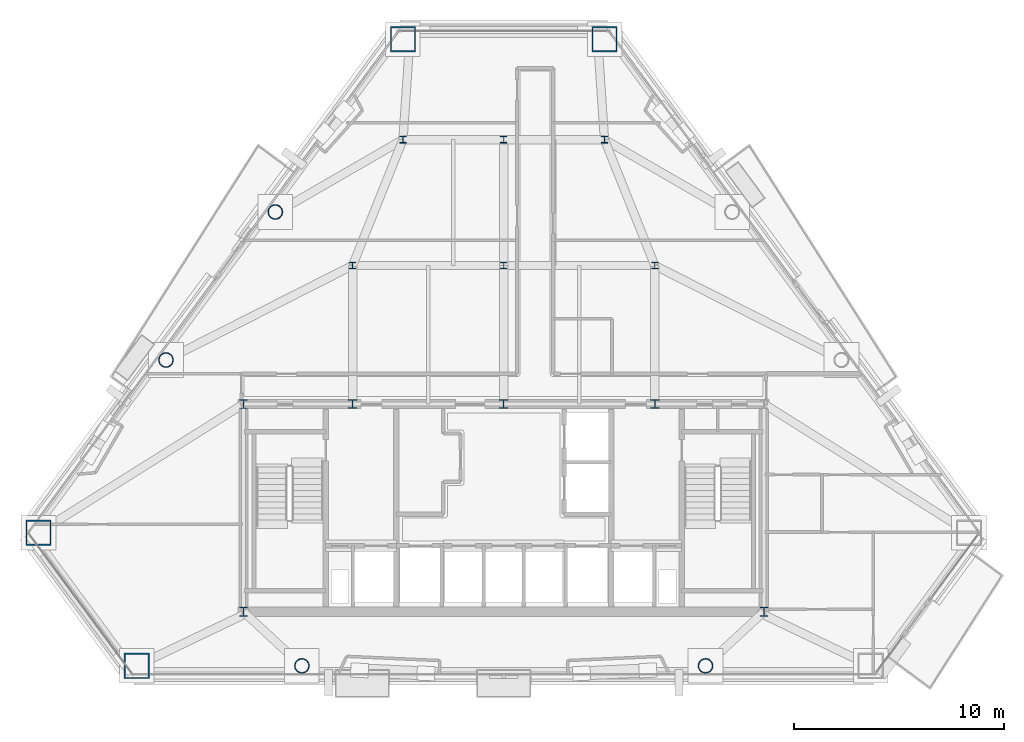
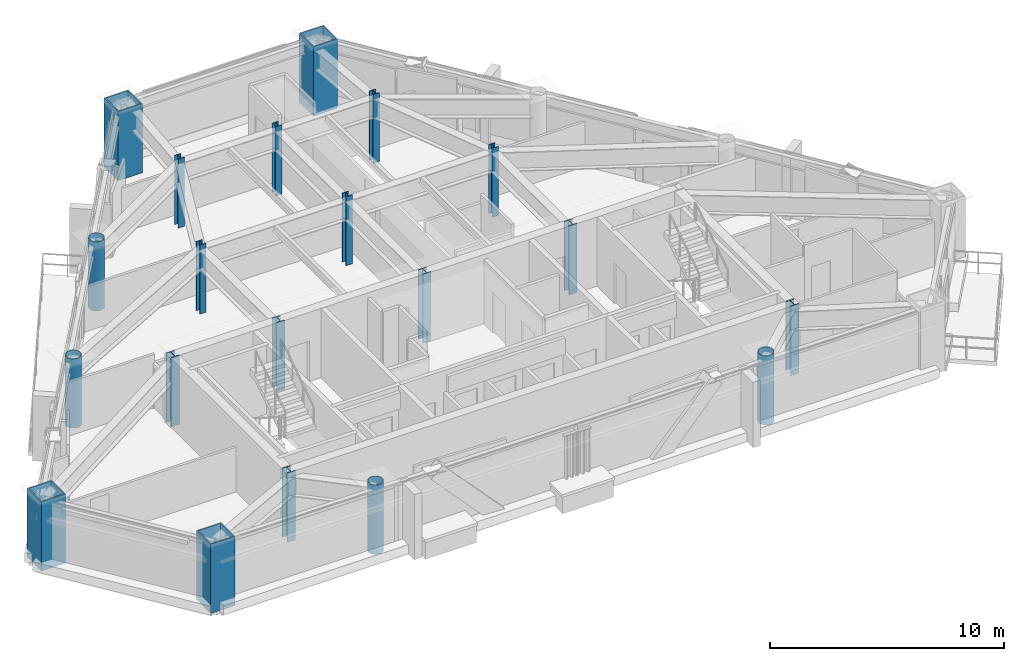
# One storey, part 1 of 11: 20 columns.
"""IFC4 building model written with IfcOpenShell, lengths in metres."""

from ifc_helpers import new_model, si_unit, direction, frame, origin, origin_2d, place, context, subcontext, project, spatial, hollow_rectangle, hollow_circle, i_section, extrude, material, material_profile, profile_set, type_object, element, save


model = new_model("IFC4")

# Units and contexts
model_context = context("Model", 3, precision=1e-05, world=origin(), true_north=direction((0.0, 1.0)))
body_context = subcontext(model_context, "Body", "Model", "MODEL_VIEW")
ifc_project = project(units=[si_unit("LENGTHUNIT", "METRE"), si_unit("AREAUNIT", "SQUARE_METRE"), si_unit("VOLUMEUNIT", "CUBIC_METRE"), si_unit("PLANEANGLEUNIT", "RADIAN"), si_unit("MASSUNIT", "GRAM", prefix="KILO")], contexts=[model_context])

# Site, building, storey
site_placement = place(None, origin())
site = spatial("IfcSite", under=ifc_project, at=site_placement, CompositionType="ELEMENT")
building_placement = place(site_placement, origin())
building = spatial("IfcBuilding", under=site, at=building_placement, Name="Talgorran Terracotta Tower", CompositionType="ELEMENT")
storey_placement = place(building_placement, frame((0.0, 0.0, 154.5)))
storey = spatial("IfcBuildingStorey", under=building, at=storey_placement, Name="L40", CompositionType="ELEMENT", Elevation=154.5)

# Columns
ifc_material_1 = material(Name="Steel S355 (300PLUS)", Category="steel")
ifc_material_profile_1 = material_profile(ifc_material_1, i_section(OverallWidth=0.311279296875, OverallDepth=0.3271484375, WebThickness=0.015625, FlangeThickness=0.02490234375, at=origin_2d()), Name="310UC158")
ifc_profile_set_1 = profile_set([ifc_material_profile_1], Name="Steel S355 (300PLUS)")
column_type_1 = type_object("IfcColumnType", Name="COL_310UC158", PredefinedType="COLUMN", material=ifc_profile_set_1)
for number, where, z_axis, x_axis, name in (
    (1, (-7.199951171875, 2.39990234375, 0.0), (0.0, 0.0, 1.0), (1.0, 0.0, 0.0), "L40 Interior Gravity Column IC1"),
    (2, (0.0, 2.39990234375, 0.0), (0.0, 0.0, 1.0), (1.0, 0.0, 0.0), "L40 Interior Gravity Column IC2"),
    (3, (7.199951171875, 2.39990234375, 0.0), (0.0, 0.0, 1.0), (1.0, 0.0, 0.0), "L40 Interior Gravity Column IC3"),
    (4, (-4.800048828125, 8.39990234375, 0.0), (0.0, 0.0, 1.0), (1.0, 0.0, 0.0), "L40 Interior Gravity Column IC4"),
    (5, (0.0, 8.39990234375, 0.0), (0.0, 0.0, 1.0), (1.0, 0.0, 0.0), "L40 Interior Gravity Column IC5"),
    (6, (4.800048828125, 8.39990234375, 0.0), (0.0, 0.0, 1.0), (1.0, 0.0, 0.0), "L40 Interior Gravity Column IC6"),
):
    element("IfcColumn", number, at=place(storey_placement, frame(where, z_axis=z_axis, x_axis=x_axis)), inside=storey, type_object=column_type_1, Name=name, PredefinedType="COLUMN", context=body_context, shape_type="SweptSolid", body=[
        extrude(i_section(OverallWidth=0.311279296875, OverallDepth=0.3271484375, WebThickness=0.015625, FlangeThickness=0.02490234375, at=origin_2d()), origin(), (0.0, 0.0, 1.0), 3.60009765625),
    ])
ifc_material_profile_2 = material_profile(ifc_material_1, i_section(OverallWidth=0.39990234375, OverallDepth=0.43994140625, WebThickness=0.028076171875, FlangeThickness=0.0400390625, at=origin_2d()), Name="400WC328")
ifc_profile_set_2 = profile_set([ifc_material_profile_2], Name="Steel S355 (300PLUS)")
column_type_2 = type_object("IfcColumnType", Name="COL_400WC328", PredefinedType="COLUMN", material=ifc_profile_set_2)
for number, where, z_axis, x_axis, name in (
    (7, (-12.39990234375, -14.10009765625, 0.0), (0.0, 0.0, 1.0), (1.0, 0.0, 0.0), "L40 Core Boundary Column CC1"),
    (8, (12.39990234375, -14.10009765625, 0.0), (0.0, 0.0, 1.0), (1.0, 0.0, 0.0), "L40 Core Boundary Column CC2"),
    (9, (-12.39990234375, -4.199951171875, 0.0), (0.0, 0.0, 1.0), (1.0, 0.0, 0.0), "L40 Core Boundary Column CC4"),
):
    element("IfcColumn", number, at=place(storey_placement, frame(where, z_axis=z_axis, x_axis=x_axis)), inside=storey, type_object=column_type_2, Name=name, PredefinedType="COLUMN", context=body_context, shape_type="SweptSolid", body=[
        extrude(i_section(OverallWidth=0.39990234375, OverallDepth=0.43994140625, WebThickness=0.028076171875, FlangeThickness=0.0400390625, at=origin_2d()), origin(), (0.0, 0.0, 1.0), 3.60009765625),
    ])
ifc_material_2 = material(Name="Steel Grade 350 (350L0)", Category="steel")
ifc_material_profile_3 = material_profile(ifc_material_2, hollow_rectangle(XDim=1.199951171875, YDim=1.199951171875, WallThickness=0.054931640625, at=origin_2d()), Name="CFT1200X1200X55")
ifc_profile_set_3 = profile_set([ifc_material_profile_3], Name="Steel Grade 350 (350L0)")
column_type_3 = type_object("IfcColumnType", Name="COL_CFT_1200", PredefinedType="COLUMN", material=ifc_profile_set_3)
for number, where, z_axis, x_axis, name in (
    (10, (-22.168212890625, -10.331298828125, 0.0), (0.0, 0.0, 1.0), (1.0, 0.0, 0.0), "L40 Corner CFT Mega-Column MC1"),
    (11, (-17.483642578125, -16.67431640625, 0.0), (0.0, 0.0, 1.0), (1.0, 0.0, 0.0), "L40 Corner CFT Mega-Column MC2"),
    (12, (4.80615234375, 13.177978515625, 0.0), (0.0, 0.0, 1.0), (1.0, 0.0, 0.0), "L40 Corner CFT Mega-Column MC5"),
    (13, (-4.80615234375, 13.177978515625, 0.0), (0.0, 0.0, 1.0), (1.0, 0.0, 0.0), "L40 Corner CFT Mega-Column MC6"),
):
    element("IfcColumn", number, at=place(storey_placement, frame(where, z_axis=z_axis, x_axis=x_axis)), inside=storey, type_object=column_type_3, Name=name, PredefinedType="COLUMN", context=body_context, shape_type="SweptSolid", body=[
        extrude(hollow_rectangle(XDim=1.199951171875, YDim=1.199951171875, WallThickness=0.054931640625, at=origin_2d()), origin(), (0.0, 0.0, 1.0), 3.60009765625),
    ])
ifc_material_profile_4 = material_profile(ifc_material_2, hollow_circle(Radius=0.35009765625, WallThickness=0.030029296875, at=origin_2d()), Name="CHS700X30")
ifc_profile_set_4 = profile_set([ifc_material_profile_4], Name="Steel Grade 350 (350L0)")
column_type_4 = type_object("IfcColumnType", Name="COL_CHS_700", PredefinedType="COLUMN", material=ifc_profile_set_4)
for number, where, z_axis, x_axis, name in (
    (14, (-9.615966796875, -16.67431640625, 0.0), (0.0, 0.0, 1.0), (1.0, 0.0, 0.0), "L40 Facet Perimeter Column FC1"),
    (15, (9.615966796875, -16.67431640625, 0.0), (0.0, 0.0, 1.0), (1.0, 0.0, 0.0), "L40 Facet Perimeter Column FC2"),
    (16, (-10.8828125, 4.94970703125, 0.0), (0.0, 0.0, 1.0), (1.0, 0.0, 0.0), "L40 Facet Perimeter Column FC5"),
    (17, (-16.091552734375, -2.10302734375, 0.0), (0.0, 0.0, 1.0), (1.0, 0.0, 0.0), "L40 Facet Perimeter Column FC6"),
):
    element("IfcColumn", number, at=place(storey_placement, frame(where, z_axis=z_axis, x_axis=x_axis)), inside=storey, type_object=column_type_4, Name=name, PredefinedType="COLUMN", context=body_context, shape_type="SweptSolid", body=[
        extrude(hollow_circle(Radius=0.35009765625, WallThickness=0.030029296875, at=origin_2d()), origin(), (0.0, 0.0, 1.0), 3.60009765625),
    ])
ifc_material_profile_5 = material_profile(ifc_material_1, i_section(OverallWidth=0.405029296875, OverallDepth=0.4140625, WebThickness=0.02197265625, FlangeThickness=0.031982421875, at=origin_2d()), Name="400WC270")
ifc_profile_set_5 = profile_set([ifc_material_profile_5], Name="Steel S355 (300PLUS)")
column_type_5 = type_object("IfcColumnType", Name="COL_PIL_400WC270", PredefinedType="PILASTER", material=ifc_profile_set_5)
for number, where, z_axis, x_axis, name in (
    (18, (-7.199951171875, -4.199951171875, 0.0), (0.0, 0.0, 1.0), (1.0, 0.0, 0.0), "L40 Core Shear Pilaster CP1"),
    (19, (0.0, -4.199951171875, 0.0), (0.0, 0.0, 1.0), (1.0, 0.0, 0.0), "L40 Core Shear Pilaster CP2"),
    (20, (7.199951171875, -4.199951171875, 0.0), (0.0, 0.0, 1.0), (1.0, 0.0, 0.0), "L40 Core Shear Pilaster CP3"),
):
    element("IfcColumn", number, at=place(storey_placement, frame(where, z_axis=z_axis, x_axis=x_axis)), inside=storey, type_object=column_type_5, Name=name, PredefinedType="PILASTER", context=body_context, shape_type="SweptSolid", body=[
        extrude(i_section(OverallWidth=0.405029296875, OverallDepth=0.4140625, WebThickness=0.02197265625, FlangeThickness=0.031982421875, at=origin_2d()), origin(), (0.0, 0.0, 1.0), 3.60009765625),
    ])

save(model, "model.ifc")
